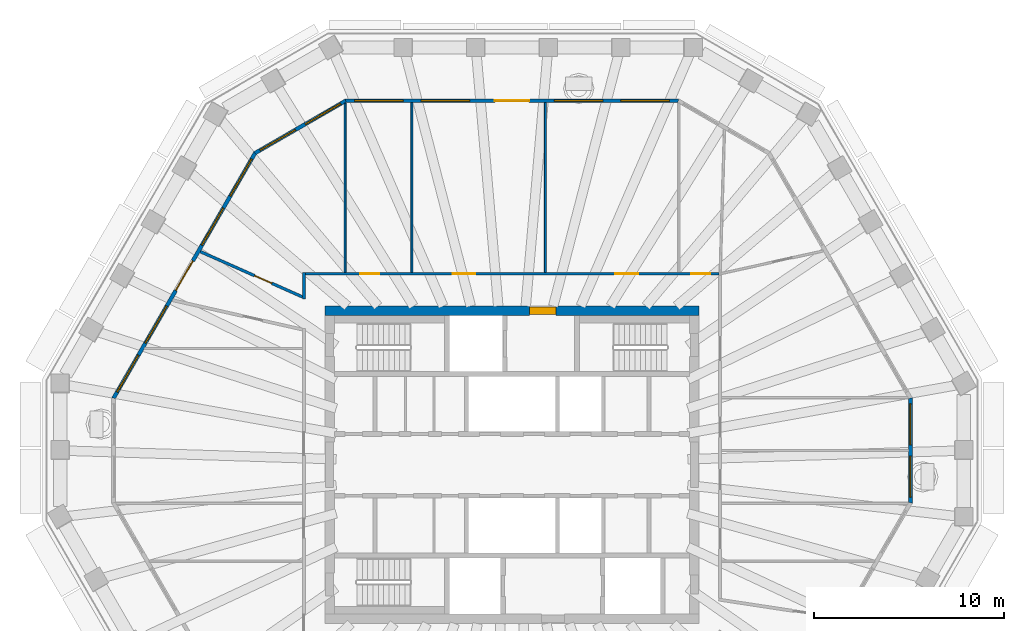
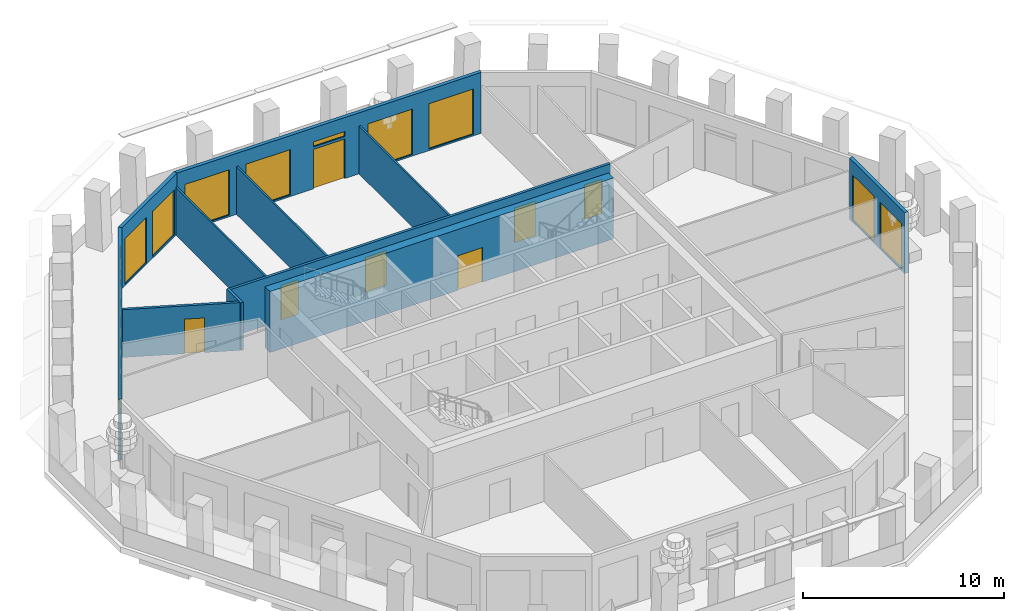
# One storey, part 6 of 11: 14 windows, 11 walls, 8 doors, 22 openings.
"""IFC4 building model written with IfcOpenShell, lengths in metres."""

from ifc_helpers import new_model, si_unit, direction, frame, frame_2d, origin, place, context, subcontext, project, spatial, polyline, rectangle, outline, extrude, material, layer, layer_set, type_object, element, fill, save


model = new_model("IFC4")

# Units and contexts
model_context = context("Model", 3, precision=1e-05, world=origin(), true_north=direction((0.0, 1.0)))
body_context = subcontext(model_context, "Body", "Model", "MODEL_VIEW")
ifc_project = project(units=[si_unit("LENGTHUNIT", "METRE"), si_unit("AREAUNIT", "SQUARE_METRE"), si_unit("VOLUMEUNIT", "CUBIC_METRE"), si_unit("PLANEANGLEUNIT", "RADIAN"), si_unit("MASSUNIT", "GRAM", prefix="KILO")], contexts=[model_context])

# Site, building, storey
site_placement = place(None, origin())
site = spatial("IfcSite", under=ifc_project, at=site_placement, CompositionType="ELEMENT")
building_placement = place(site_placement, origin())
building = spatial("IfcBuilding", under=site, at=building_placement, Name="Frailejon Research Tower", CompositionType="ELEMENT")
storey_placement = place(building_placement, frame((0.0, 0.0, 287.0)))
storey = spatial("IfcBuildingStorey", under=building, at=storey_placement, Name="L63", CompositionType="ELEMENT", Elevation=287.0)

# Wall, opening, door
ifc_material_1 = material(Name="Concrete C50/60", Category="concrete")
ifc_layer_1 = layer(ifc_material_1, 0.5)
ifc_layer_set_1 = layer_set([ifc_layer_1], Name="Core shear wall 500 C50/60")
wall_type_1 = type_object("IfcWallType", Name="Core shear wall 500 C50/60", PredefinedType="SHEAR", material=ifc_layer_set_1)
wall_1_placement = place(storey_placement, frame((-9.85009765625, 8.10009765625, 0.0), z_axis=(0.0, 0.0, 1.0), x_axis=(1.0, 0.0, 0.0)))
wall_1 = element("IfcWall", 1, at=wall_1_placement, inside=storey, type_object=wall_type_1, Name="Core shear wall", PredefinedType="SHEAR", context=body_context, shape_type="SweptSolid", body=[
    extrude(rectangle(XDim=19.7001953125, YDim=0.5, at=frame_2d((9.85009765625, 0.0))), origin(), (0.0, 0.0, 1.0), 3.699951171875),
])
opening_1_placement = place(wall_1_placement, frame((10.77490234375, 0.0, 0.0)))
opening_1 = element("IfcOpeningElement", 2, at=opening_1_placement, cuts=wall_1, Name="Opening D9", PredefinedType="OPENING", context=body_context, shape_type="SweptSolid", body=[
    extrude(rectangle(XDim=1.39990234375, YDim=2.10009765625, at=frame_2d((0.699951171875, 1.050048828125))), frame((0.0, 0.260009765625, 0.0), z_axis=(0.0, -1.0, 0.0), x_axis=(1.0, 0.0, 0.0)), (0.0, 0.0, 1.0), 0.52001953125),
])
ifc_material_2 = material(Name="Steel", Category="steel")
door_type_1 = type_object("IfcDoorType", Name="Goods lobby door", OperationType="DOUBLE_DOOR_SINGLE_SWING", PredefinedType="DOOR", material=ifc_material_2)
door_1_placement = place(opening_1_placement, origin())
door_1 = element("IfcDoor", 3, at=door_1_placement, inside=storey, type_object=door_type_1, Name="Goods lobby door", OperationType="DOUBLE_DOOR_SINGLE_SWING", OverallHeight=2.10009765625, OverallWidth=1.39990234375, PredefinedType="DOOR", context=body_context, shape_type="SweptSolid", body=[
    extrude(rectangle(XDim=1.39990234375, YDim=2.10009765625, at=frame_2d((0.699951171875, 1.050048828125))), frame((0.0, 0.199951171875, 0.0), z_axis=(0.0, -1.0, 0.0), x_axis=(1.0, 0.0, 0.0)), (0.0, 0.0, 1.0), 0.39990234375),
])
fill(opening_1, door_1)

ifc_material_3 = material(Name="Gypsum board and masonry partition", Category="masonry")
ifc_layer_2 = layer(ifc_material_3, 0.14990234375)
ifc_layer_set_2 = layer_set([ifc_layer_2], Name="Corridor wall EI 60, gypsum on steel studs 150")
wall_type_2 = type_object("IfcWallType", Name="Corridor wall EI 60, gypsum on steel studs 150", PredefinedType="PARTITIONING", material=ifc_layer_set_2)
wall_2_placement = place(storey_placement, frame((-16.393310546875, 11.21435546875, 0.0), z_axis=(0.0, 0.0, 1.0), x_axis=(0.914110944559, -0.405464155059, 0.0)))
wall_2 = element("IfcWall", 4, at=wall_2_placement, inside=storey, type_object=wall_type_2, Name="T:IW:L63:001", PredefinedType="PARTITIONING", context=body_context, shape_type="SweptSolid", body=[
    extrude(rectangle(XDim=5.8798828125, YDim=0.14990234375, at=frame_2d((2.93994140625, 0.0))), origin(), (0.0, 0.0, 1.0), 2.89990234375),
])
opening_2_placement = place(wall_2_placement, frame((3.115478515625, 0.0, 0.0)))
opening_2 = element("IfcOpeningElement", 5, at=opening_2_placement, cuts=wall_2, Name="Opening D2212", PredefinedType="OPENING", context=body_context, shape_type="SweptSolid", body=[
    extrude(rectangle(XDim=1.0, YDim=2.10009765625, at=frame_2d((0.5, 1.050048828125))), frame((0.0, 0.0849609375, 0.0), z_axis=(0.0, -1.0, 0.0), x_axis=(1.0, 0.0, 0.0)), (0.0, 0.0, 1.0), 0.169921875),
])
ifc_material_4 = material(Name="Timber door leaf", Category="wood")
door_type_2 = type_object("IfcDoorType", Name="Door single leaf, timber, steel frame 1000", OperationType="NOTDEFINED", PredefinedType="DOOR", material=ifc_material_4)
door_2_placement = place(opening_2_placement, origin())
door_2 = element("IfcDoor", 6, at=door_2_placement, inside=storey, type_object=door_type_2, Name="D2212", OperationType="SINGLE_SWING_LEFT", OverallHeight=2.10009765625, OverallWidth=1.0, PredefinedType="DOOR", context=body_context, shape_type="SweptSolid", body=[
    extrude(rectangle(XDim=1.0, YDim=2.10009765625, at=frame_2d((0.5, 1.050048828125))), frame((0.0, 0.02490234375, 0.0), z_axis=(0.0, -1.0, 0.0), x_axis=(1.0, 0.0, 0.0)), (0.0, 0.0, 1.0), 0.050048828125),
])
fill(opening_2, door_2)

# Wall, openings, doors
wall_3_placement = place(storey_placement, frame((-10.875, 10.050048828125, 0.0), z_axis=(0.0, 0.0, 1.0), x_axis=(1.0, 0.0, 0.0)))
wall_3 = element("IfcWall", 7, at=wall_3_placement, inside=storey, type_object=wall_type_2, Name="T:IW:L63:005", PredefinedType="PARTITIONING", context=body_context, shape_type="SweptSolid", body=[
    extrude(rectangle(XDim=21.77490234375, YDim=0.14990234375, at=frame_2d((10.887451171875, 0.0))), origin(), (0.0, 0.0, 1.0), 2.89990234375),
])
opening_3_placement = place(wall_3_placement, frame((20.309326171875, 0.0, 0.0)))
opening_3 = element("IfcOpeningElement", 8, at=opening_3_placement, cuts=wall_3, Name="Opening D2208", PredefinedType="OPENING", context=body_context, shape_type="SweptSolid", body=[
    extrude(rectangle(XDim=1.0, YDim=2.10009765625, at=frame_2d((0.5, 1.050048828125))), frame((0.0, 0.0849609375, 0.0), z_axis=(0.0, -1.0, 0.0), x_axis=(1.0, 0.0, 0.0)), (0.0, 0.0, 1.0), 0.169921875),
])
opening_4_placement = place(wall_3_placement, frame((16.30908203125, 0.0, 0.0)))
opening_4 = element("IfcOpeningElement", 9, at=opening_4_placement, cuts=wall_3, Name="Opening D2209", PredefinedType="OPENING", context=body_context, shape_type="SweptSolid", body=[
    extrude(rectangle(XDim=1.199951171875, YDim=2.10009765625, at=frame_2d((0.60009765625, 1.050048828125))), frame((0.0, 0.0849609375, 0.0), z_axis=(0.0, -1.0, 0.0), x_axis=(1.0, 0.0, 0.0)), (0.0, 0.0, 1.0), 0.169921875),
])
opening_5_placement = place(wall_3_placement, frame((7.75146484375, 0.0, 0.0)))
opening_5 = element("IfcOpeningElement", 10, at=opening_5_placement, cuts=wall_3, Name="Opening D2210", PredefinedType="OPENING", context=body_context, shape_type="SweptSolid", body=[
    extrude(rectangle(XDim=1.199951171875, YDim=2.10009765625, at=frame_2d((0.60009765625, 1.050048828125))), frame((0.0, 0.0849609375, 0.0), z_axis=(0.0, -1.0, 0.0), x_axis=(1.0, 0.0, 0.0)), (0.0, 0.0, 1.0), 0.169921875),
])
opening_6_placement = place(wall_3_placement, frame((2.901123046875, 0.0, 0.0)))
opening_6 = element("IfcOpeningElement", 11, at=opening_6_placement, cuts=wall_3, Name="Opening D2211", PredefinedType="OPENING", context=body_context, shape_type="SweptSolid", body=[
    extrude(rectangle(XDim=1.0, YDim=2.10009765625, at=frame_2d((0.5, 1.050048828125))), frame((0.0, 0.0849609375, 0.0), z_axis=(0.0, -1.0, 0.0), x_axis=(1.0, 0.0, 0.0)), (0.0, 0.0, 1.0), 0.169921875),
])
door_3_placement = place(opening_3_placement, origin())
door_3 = element("IfcDoor", 12, at=door_3_placement, inside=storey, type_object=door_type_2, Name="D2208", OperationType="SINGLE_SWING_RIGHT", OverallHeight=2.10009765625, OverallWidth=1.0, PredefinedType="DOOR", context=body_context, shape_type="SweptSolid", body=[
    extrude(rectangle(XDim=1.0, YDim=2.10009765625, at=frame_2d((0.5, 1.050048828125))), frame((0.0, 0.02490234375, 0.0), z_axis=(0.0, -1.0, 0.0), x_axis=(1.0, 0.0, 0.0)), (0.0, 0.0, 1.0), 0.050048828125),
])
fill(opening_3, door_3)
door_4_placement = place(opening_6_placement, origin())
door_4 = element("IfcDoor", 13, at=door_4_placement, inside=storey, type_object=door_type_2, Name="D2211", OperationType="SINGLE_SWING_RIGHT", OverallHeight=2.10009765625, OverallWidth=1.0, PredefinedType="DOOR", context=body_context, shape_type="SweptSolid", body=[
    extrude(rectangle(XDim=1.0, YDim=2.10009765625, at=frame_2d((0.5, 1.050048828125))), frame((0.0, 0.02490234375, 0.0), z_axis=(0.0, -1.0, 0.0), x_axis=(1.0, 0.0, 0.0)), (0.0, 0.0, 1.0), 0.050048828125),
])
fill(opening_6, door_4)
ifc_material_5 = material(Name="Timber door leaf", Category="wood")
door_type_3 = type_object("IfcDoorType", Name="Door single leaf, timber, steel frame 1200", OperationType="NOTDEFINED", PredefinedType="DOOR", material=ifc_material_5)
door_5_placement = place(opening_4_placement, origin())
door_5 = element("IfcDoor", 14, at=door_5_placement, inside=storey, type_object=door_type_3, Name="D2209", OperationType="DOUBLE_DOOR_SINGLE_SWING", OverallHeight=2.10009765625, OverallWidth=1.199951171875, PredefinedType="DOOR", context=body_context, shape_type="SweptSolid", body=[
    extrude(rectangle(XDim=1.199951171875, YDim=2.10009765625, at=frame_2d((0.60009765625, 1.050048828125))), frame((0.0, 0.02490234375, 0.0), z_axis=(0.0, -1.0, 0.0), x_axis=(1.0, 0.0, 0.0)), (0.0, 0.0, 1.0), 0.050048828125),
])
fill(opening_4, door_5)
door_6_placement = place(opening_5_placement, origin())
door_6 = element("IfcDoor", 15, at=door_6_placement, inside=storey, type_object=door_type_3, Name="D2210", OperationType="DOUBLE_DOOR_SINGLE_SWING", OverallHeight=2.10009765625, OverallWidth=1.199951171875, PredefinedType="DOOR", context=body_context, shape_type="SweptSolid", body=[
    extrude(rectangle(XDim=1.199951171875, YDim=2.10009765625, at=frame_2d((0.60009765625, 1.050048828125))), frame((0.0, 0.02490234375, 0.0), z_axis=(0.0, -1.0, 0.0), x_axis=(1.0, 0.0, 0.0)), (0.0, 0.0, 1.0), 0.050048828125),
])
fill(opening_5, door_6)

# Walls
wall_4_placement = place(storey_placement, frame((-10.949951171875, 8.72509765625, 0.0), z_axis=(0.0, 0.0, 1.0), x_axis=(0.0, 1.0, 0.0)))
element("IfcWall", 16, at=wall_4_placement, inside=storey, type_object=wall_type_2, Name="T:IW:L63:007", PredefinedType="PARTITIONING", context=body_context, shape_type="SweptSolid", body=[
    extrude(rectangle(XDim=1.39990234375, YDim=0.14990234375, at=frame_2d((0.699951171875, 0.0))), origin(), (0.0, 0.0, 1.0), 2.89990234375),
])
ifc_material_6 = material(Name="Gypsum board and masonry partition", Category="masonry")
ifc_layer_3 = layer(ifc_material_6, 0.10009765625)
ifc_layer_set_3 = layer_set([ifc_layer_3], Name="Partition, gypsum on steel studs 100")
wall_type_3 = type_object("IfcWallType", Name="Partition, gypsum on steel studs 100", PredefinedType="PARTITIONING", material=ifc_layer_set_3)
for number, where, z_axis, x_axis, name in (
    (17, (1.75537109375, 10.125, 0.0), (0.0, 0.0, 1.0), (0.0, 1.0, 0.0), "T:IW:L63:016"),
    (18, (-5.265869140625, 10.125, 0.0), (0.0, 0.0, 1.0), (0.0, 1.0, 0.0), "T:IW:L63:017"),
):
    element("IfcWall", number, at=place(storey_placement, frame(where, z_axis=z_axis, x_axis=x_axis)), inside=storey, type_object=wall_type_3, Name=name, PredefinedType="PARTITIONING", context=body_context, shape_type="SweptSolid", body=[
        extrude(rectangle(XDim=8.925048828125, YDim=0.10009765625, at=frame_2d((4.46240234375, 0.0))), origin(), (0.0, 0.0, 1.0), 2.89990234375),
    ])
wall_5_placement = place(storey_placement, frame((-8.776611328125, 10.125, 0.0), z_axis=(0.0, 0.0, 1.0), x_axis=(0.0, 1.0, 0.0)))
element("IfcWall", 19, at=wall_5_placement, inside=storey, type_object=wall_type_3, Name="T:IW:L63:018", PredefinedType="PARTITIONING", context=body_context, shape_type="SweptSolid", body=[
    extrude(rectangle(XDim=8.89404296875, YDim=0.10009765625, at=frame_2d((4.447021484375, 0.0))), origin(), (0.0, 0.0, 1.0), 2.89990234375),
])

# Wall, openings, windows
ifc_material_7 = material(Name="Concrete C40/50 precast window wall panel", Category="concrete")
ifc_layer_4 = layer(ifc_material_7, 0.199951171875)
ifc_layer_set_4 = layer_set([ifc_layer_4], Name="Window wall 200")
wall_type_4 = type_object("IfcWallType", Name="Window wall 200", PredefinedType="SOLIDWALL", material=ifc_layer_set_4)
wall_6_placement = place(storey_placement, frame((20.959228515625, -1.99755859375, 0.0), z_axis=(0.0, 0.0, 1.0), x_axis=(0.0, 1.0, 0.0)))
wall_6 = element("IfcWall", 20, at=wall_6_placement, inside=storey, type_object=wall_type_4, Name="Exterior wall L63", PredefinedType="SOLIDWALL", context=body_context, shape_type="SweptSolid", body=[
    extrude(outline(polyline([(-0.02685546875, -0.10009765625), (1.08447265625, -0.10009765625), (2.196044921875, -0.10009765625), (3.307373046875, -0.10009765625), (4.4189453125, -0.10009765625), (5.5302734375, -0.10009765625), (5.4765625, 0.10009765625), (4.38671875, 0.10009765625), (3.296630859375, 0.10009765625), (2.206787109375, 0.10009765625), (1.11669921875, 0.10009765625), (0.02685546875, 0.10009765625), (-0.02685546875, -0.10009765625)])), origin(), (0.0, 0.0, 1.0), 3.699951171875),
])
opening_7_placement = place(wall_6_placement, frame((0.30078125, 0.0, 0.10009765625)))
opening_7 = element("IfcOpeningElement", 21, at=opening_7_placement, cuts=wall_6, Name="Opening W22", PredefinedType="OPENING", context=body_context, shape_type="SweptSolid", body=[
    extrude(rectangle(XDim=2.14990234375, YDim=2.75, at=frame_2d((1.074951171875, 1.375))), frame((0.0, 0.10986328125, 0.0), z_axis=(0.0, -1.0, 0.0), x_axis=(1.0, 0.0, 0.0)), (0.0, 0.0, 1.0), 0.219970703125),
])
opening_8_placement = place(wall_6_placement, frame((3.052490234375, 0.0, 0.10009765625)))
opening_8 = element("IfcOpeningElement", 22, at=opening_8_placement, cuts=wall_6, Name="Opening W22", PredefinedType="OPENING", context=body_context, shape_type="SweptSolid", body=[
    extrude(rectangle(XDim=2.14990234375, YDim=2.75, at=frame_2d((1.074951171875, 1.375))), frame((0.0, 0.10986328125, 0.0), z_axis=(0.0, -1.0, 0.0), x_axis=(1.0, 0.0, 0.0)), (0.0, 0.0, 1.0), 0.219970703125),
])
ifc_material_8 = material(Name="Aluminium framed double glazing", Category="aluminium")
window_type_1 = type_object("IfcWindowType", Name="Window 2150x2750", PartitioningType="SINGLE_PANEL", PredefinedType="WINDOW", material=ifc_material_8)
window_1_placement = place(opening_7_placement, origin())
window_1 = element("IfcWindow", 23, at=window_1_placement, inside=storey, type_object=window_type_1, Name="Window L63", OverallHeight=2.75, OverallWidth=2.14990234375, PartitioningType="SINGLE_PANEL", PredefinedType="WINDOW", context=body_context, shape_type="SweptSolid", body=[
    extrude(rectangle(XDim=2.14990234375, YDim=2.75, at=frame_2d((1.074951171875, 1.375))), frame((0.0, 0.030029296875, 0.0), z_axis=(0.0, -1.0, 0.0), x_axis=(1.0, 0.0, 0.0)), (0.0, 0.0, 1.0), 0.06005859375),
])
fill(opening_7, window_1)
window_2_placement = place(opening_8_placement, origin())
window_2 = element("IfcWindow", 24, at=window_2_placement, inside=storey, type_object=window_type_1, Name="Window L63", OverallHeight=2.75, OverallWidth=2.14990234375, PartitioningType="SINGLE_PANEL", PredefinedType="WINDOW", context=body_context, shape_type="SweptSolid", body=[
    extrude(rectangle(XDim=2.14990234375, YDim=2.75, at=frame_2d((1.074951171875, 1.375))), frame((0.0, 0.030029296875, 0.0), z_axis=(0.0, -1.0, 0.0), x_axis=(1.0, 0.0, 0.0)), (0.0, 0.0, 1.0), 0.06005859375),
])
fill(opening_8, window_2)

# Wall, openings, door, windows
wall_7_placement = place(storey_placement, frame((8.749755859375, 19.14990234375, 0.0), z_axis=(0.0, 0.0, 1.0), x_axis=(-1.0, 0.0, 0.0)))
wall_7 = element("IfcWall", 25, at=wall_7_placement, inside=storey, type_object=wall_type_4, Name="Exterior wall L63", PredefinedType="SOLIDWALL", context=body_context, shape_type="SweptSolid", body=[
    extrude(outline(polyline([(-0.02685546875, -0.10009765625), (1.005615234375, -0.10009765625), (2.038330078125, -0.10009765625), (3.07080078125, -0.10009765625), (4.103271484375, -0.10009765625), (5.1357421875, -0.10009765625), (6.16845703125, -0.10009765625), (7.200927734375, -0.10009765625), (8.2333984375, -0.10009765625), (9.26611328125, -0.10009765625), (10.298583984375, -0.10009765625), (11.3310546875, -0.10009765625), (12.36376953125, -0.10009765625), (13.396240234375, -0.10009765625), (14.4287109375, -0.10009765625), (15.461181640625, -0.10009765625), (16.493896484375, -0.10009765625), (17.5263671875, -0.10009765625), (17.47265625, 0.10009765625), (16.446533203125, 0.10009765625), (15.420166015625, 0.10009765625), (14.39404296875, 0.10009765625), (13.36767578125, 0.10009765625), (12.341552734375, 0.10009765625), (11.3154296875, 0.10009765625), (10.2890625, 0.10009765625), (9.262939453125, 0.10009765625), (8.236572265625, 0.10009765625), (7.21044921875, 0.10009765625), (6.18408203125, 0.10009765625), (5.157958984375, 0.10009765625), (4.1318359375, 0.10009765625), (3.10546875, 0.10009765625), (2.079345703125, 0.10009765625), (1.052978515625, 0.10009765625), (0.02685546875, 0.10009765625), (-0.02685546875, -0.10009765625)])), origin(), (0.0, 0.0, 1.0), 3.699951171875),
])
opening_9_placement = place(wall_7_placement, frame((0.47509765625, 0.0, 0.10009765625)))
opening_9 = element("IfcOpeningElement", 26, at=opening_9_placement, cuts=wall_7, Name="Opening W25", PredefinedType="OPENING", context=body_context, shape_type="SweptSolid", body=[
    extrude(rectangle(XDim=2.550048828125, YDim=2.75, at=frame_2d((1.27490234375, 1.375))), frame((0.0, 0.10986328125, 0.0), z_axis=(0.0, -1.0, 0.0), x_axis=(1.0, 0.0, 0.0)), (0.0, 0.0, 1.0), 0.219970703125),
])
opening_10_placement = place(wall_7_placement, frame((3.974853515625, 0.0, 0.10009765625)))
opening_10 = element("IfcOpeningElement", 27, at=opening_10_placement, cuts=wall_7, Name="Opening W25", PredefinedType="OPENING", context=body_context, shape_type="SweptSolid", body=[
    extrude(rectangle(XDim=2.550048828125, YDim=2.75, at=frame_2d((1.27490234375, 1.375))), frame((0.0, 0.10986328125, 0.0), z_axis=(0.0, -1.0, 0.0), x_axis=(1.0, 0.0, 0.0)), (0.0, 0.0, 1.0), 0.219970703125),
])
opening_11_placement = place(wall_7_placement, frame((7.849853515625, 0.0, 0.0)))
opening_11 = element("IfcOpeningElement", 28, at=opening_11_placement, cuts=wall_7, Name="Opening LG63-2", PredefinedType="OPENING", context=body_context, shape_type="SweptSolid", body=[
    extrude(rectangle(XDim=1.800048828125, YDim=2.39990234375, at=frame_2d((0.89990234375, 1.199951171875))), frame((0.0, 0.10986328125, 0.0), z_axis=(0.0, -1.0, 0.0), x_axis=(1.0, 0.0, 0.0)), (0.0, 0.0, 1.0), 0.219970703125),
])
opening_12_placement = place(wall_7_placement, frame((7.849853515625, 0.0, 2.550048828125)))
opening_12 = element("IfcOpeningElement", 29, at=opening_12_placement, cuts=wall_7, Name="Opening W24", PredefinedType="OPENING", context=body_context, shape_type="SweptSolid", body=[
    extrude(rectangle(XDim=1.800048828125, YDim=0.300048828125, at=frame_2d((0.89990234375, 0.14990234375))), frame((0.0, 0.10986328125, 0.0), z_axis=(0.0, -1.0, 0.0), x_axis=(1.0, 0.0, 0.0)), (0.0, 0.0, 1.0), 0.219970703125),
])
opening_13_placement = place(wall_7_placement, frame((10.974609375, 0.0, 0.10009765625)))
opening_13 = element("IfcOpeningElement", 30, at=opening_13_placement, cuts=wall_7, Name="Opening W25", PredefinedType="OPENING", context=body_context, shape_type="SweptSolid", body=[
    extrude(rectangle(XDim=2.550048828125, YDim=2.75, at=frame_2d((1.27490234375, 1.375))), frame((0.0, 0.10986328125, 0.0), z_axis=(0.0, -1.0, 0.0), x_axis=(1.0, 0.0, 0.0)), (0.0, 0.0, 1.0), 0.219970703125),
])
opening_14_placement = place(wall_7_placement, frame((14.474609375, 0.0, 0.10009765625)))
opening_14 = element("IfcOpeningElement", 31, at=opening_14_placement, cuts=wall_7, Name="Opening W25", PredefinedType="OPENING", context=body_context, shape_type="SweptSolid", body=[
    extrude(rectangle(XDim=2.550048828125, YDim=2.75, at=frame_2d((1.27490234375, 1.375))), frame((0.0, 0.10986328125, 0.0), z_axis=(0.0, -1.0, 0.0), x_axis=(1.0, 0.0, 0.0)), (0.0, 0.0, 1.0), 0.219970703125),
])
ifc_material_9 = material(Name="Aluminium framed glazed door leaf", Category="aluminium")
door_type_4 = type_object("IfcDoorType", Name="Loggia door 1800x2400", OperationType="DOUBLE_DOOR_SINGLE_SWING", PredefinedType="DOOR", material=ifc_material_9)
door_7_placement = place(opening_11_placement, origin())
door_7 = element("IfcDoor", 32, at=door_7_placement, inside=storey, type_object=door_type_4, Name="Door LG63-2", OperationType="DOUBLE_DOOR_SINGLE_SWING", OverallHeight=2.39990234375, OverallWidth=1.800048828125, PredefinedType="DOOR", context=body_context, shape_type="SweptSolid", body=[
    extrude(rectangle(XDim=1.800048828125, YDim=2.39990234375, at=frame_2d((0.89990234375, 1.199951171875))), frame((0.0, 0.02490234375, 0.0), z_axis=(0.0, -1.0, 0.0), x_axis=(1.0, 0.0, 0.0)), (0.0, 0.0, 1.0), 0.050048828125),
])
fill(opening_11, door_7)
ifc_material_10 = material(Name="Aluminium framed double glazing", Category="aluminium")
window_type_2 = type_object("IfcWindowType", Name="Window 1800x300", PartitioningType="SINGLE_PANEL", PredefinedType="WINDOW", material=ifc_material_10)
window_3_placement = place(opening_12_placement, origin())
window_3 = element("IfcWindow", 33, at=window_3_placement, inside=storey, type_object=window_type_2, Name="Window L63", OverallHeight=0.300048828125, OverallWidth=1.800048828125, PartitioningType="SINGLE_PANEL", PredefinedType="WINDOW", context=body_context, shape_type="SweptSolid", body=[
    extrude(rectangle(XDim=1.800048828125, YDim=0.300048828125, at=frame_2d((0.89990234375, 0.14990234375))), frame((0.0, 0.030029296875, 0.0), z_axis=(0.0, -1.0, 0.0), x_axis=(1.0, 0.0, 0.0)), (0.0, 0.0, 1.0), 0.06005859375),
])
fill(opening_12, window_3)
ifc_material_11 = material(Name="Aluminium framed double glazing", Category="aluminium")
window_type_3 = type_object("IfcWindowType", Name="Window 2550x2750", PartitioningType="SINGLE_PANEL", PredefinedType="WINDOW", material=ifc_material_11)
window_4_placement = place(opening_9_placement, origin())
window_4 = element("IfcWindow", 34, at=window_4_placement, inside=storey, type_object=window_type_3, Name="Window L63", OverallHeight=2.75, OverallWidth=2.550048828125, PartitioningType="SINGLE_PANEL", PredefinedType="WINDOW", context=body_context, shape_type="SweptSolid", body=[
    extrude(rectangle(XDim=2.550048828125, YDim=2.75, at=frame_2d((1.27490234375, 1.375))), frame((0.0, 0.030029296875, 0.0), z_axis=(0.0, -1.0, 0.0), x_axis=(1.0, 0.0, 0.0)), (0.0, 0.0, 1.0), 0.06005859375),
])
fill(opening_9, window_4)
window_5_placement = place(opening_10_placement, origin())
window_5 = element("IfcWindow", 35, at=window_5_placement, inside=storey, type_object=window_type_3, Name="Window L63", OverallHeight=2.75, OverallWidth=2.550048828125, PartitioningType="SINGLE_PANEL", PredefinedType="WINDOW", context=body_context, shape_type="SweptSolid", body=[
    extrude(rectangle(XDim=2.550048828125, YDim=2.75, at=frame_2d((1.27490234375, 1.375))), frame((0.0, 0.030029296875, 0.0), z_axis=(0.0, -1.0, 0.0), x_axis=(1.0, 0.0, 0.0)), (0.0, 0.0, 1.0), 0.06005859375),
])
fill(opening_10, window_5)
window_6_placement = place(opening_13_placement, origin())
window_6 = element("IfcWindow", 36, at=window_6_placement, inside=storey, type_object=window_type_3, Name="Window L63", OverallHeight=2.75, OverallWidth=2.550048828125, PartitioningType="SINGLE_PANEL", PredefinedType="WINDOW", context=body_context, shape_type="SweptSolid", body=[
    extrude(rectangle(XDim=2.550048828125, YDim=2.75, at=frame_2d((1.27490234375, 1.375))), frame((0.0, 0.030029296875, 0.0), z_axis=(0.0, -1.0, 0.0), x_axis=(1.0, 0.0, 0.0)), (0.0, 0.0, 1.0), 0.06005859375),
])
fill(opening_13, window_6)
window_7_placement = place(opening_14_placement, origin())
window_7 = element("IfcWindow", 37, at=window_7_placement, inside=storey, type_object=window_type_3, Name="Window L63", OverallHeight=2.75, OverallWidth=2.550048828125, PartitioningType="SINGLE_PANEL", PredefinedType="WINDOW", context=body_context, shape_type="SweptSolid", body=[
    extrude(rectangle(XDim=2.550048828125, YDim=2.75, at=frame_2d((1.27490234375, 1.375))), frame((0.0, 0.030029296875, 0.0), z_axis=(0.0, -1.0, 0.0), x_axis=(1.0, 0.0, 0.0)), (0.0, 0.0, 1.0), 0.06005859375),
])
fill(opening_14, window_7)

# Wall, openings, windows
wall_8_placement = place(storey_placement, frame((-8.749755859375, 19.14990234375, 0.0), z_axis=(0.0, 0.0, 1.0), x_axis=(-0.866026017613, -0.499998936816, 0.0)))
wall_8 = element("IfcWall", 38, at=wall_8_placement, inside=storey, type_object=wall_type_4, Name="Exterior wall L63", PredefinedType="SOLIDWALL", context=body_context, shape_type="SweptSolid", body=[
    extrude(outline(polyline([(-0.02685546875, -0.10009765625), (1.08447265625, -0.10009765625), (2.196044921875, -0.10009765625), (3.307373046875, -0.10009765625), (4.4189453125, -0.10009765625), (5.5302734375, -0.10009765625), (5.4765625, 0.10009765625), (4.38671875, 0.10009765625), (3.296630859375, 0.10009765625), (2.206787109375, 0.10009765625), (1.11669921875, 0.10009765625), (0.02685546875, 0.10009765625), (-0.02685546875, -0.10009765625)])), origin(), (0.0, 0.0, 1.0), 3.699951171875),
])
opening_15_placement = place(wall_8_placement, frame((0.30078125, 0.0, 0.10009765625)))
opening_15 = element("IfcOpeningElement", 39, at=opening_15_placement, cuts=wall_8, Name="Opening W22", PredefinedType="OPENING", context=body_context, shape_type="SweptSolid", body=[
    extrude(rectangle(XDim=2.14990234375, YDim=2.75, at=frame_2d((1.074951171875, 1.375))), frame((0.0, 0.10986328125, 0.0), z_axis=(0.0, -1.0, 0.0), x_axis=(1.0, 0.0, 0.0)), (0.0, 0.0, 1.0), 0.219970703125),
])
opening_16_placement = place(wall_8_placement, frame((3.052490234375, 0.0, 0.10009765625)))
opening_16 = element("IfcOpeningElement", 40, at=opening_16_placement, cuts=wall_8, Name="Opening W22", PredefinedType="OPENING", context=body_context, shape_type="SweptSolid", body=[
    extrude(rectangle(XDim=2.14990234375, YDim=2.75, at=frame_2d((1.074951171875, 1.375))), frame((0.0, 0.10986328125, 0.0), z_axis=(0.0, -1.0, 0.0), x_axis=(1.0, 0.0, 0.0)), (0.0, 0.0, 1.0), 0.219970703125),
])
window_8_placement = place(opening_15_placement, origin())
window_8 = element("IfcWindow", 41, at=window_8_placement, inside=storey, type_object=window_type_1, Name="Window L63", OverallHeight=2.75, OverallWidth=2.14990234375, PartitioningType="SINGLE_PANEL", PredefinedType="WINDOW", context=body_context, shape_type="SweptSolid", body=[
    extrude(rectangle(XDim=2.14990234375, YDim=2.75, at=frame_2d((1.074951171875, 1.375))), frame((0.0, 0.030029296875, 0.0), z_axis=(0.0, -1.0, 0.0), x_axis=(1.0, 0.0, 0.0)), (0.0, 0.0, 1.0), 0.06005859375),
])
fill(opening_15, window_8)
window_9_placement = place(opening_16_placement, origin())
window_9 = element("IfcWindow", 42, at=window_9_placement, inside=storey, type_object=window_type_1, Name="Window L63", OverallHeight=2.75, OverallWidth=2.14990234375, PartitioningType="SINGLE_PANEL", PredefinedType="WINDOW", context=body_context, shape_type="SweptSolid", body=[
    extrude(rectangle(XDim=2.14990234375, YDim=2.75, at=frame_2d((1.074951171875, 1.375))), frame((0.0, 0.030029296875, 0.0), z_axis=(0.0, -1.0, 0.0), x_axis=(1.0, 0.0, 0.0)), (0.0, 0.0, 1.0), 0.06005859375),
])
fill(opening_16, window_9)

# Wall, openings, door, windows
wall_9_placement = place(storey_placement, frame((-13.515869140625, 16.398193359375, 0.0), z_axis=(0.0, 0.0, 1.0), x_axis=(-0.499998331335, -0.866026367187, 0.0)))
wall_9 = element("IfcWall", 43, at=wall_9_placement, inside=storey, type_object=wall_type_4, Name="Exterior wall L63", PredefinedType="SOLIDWALL", context=body_context, shape_type="SweptSolid", body=[
    extrude(outline(polyline([(-0.02685546875, -0.10009765625), (1.040283203125, -0.10009765625), (2.107421875, -0.10009765625), (3.174560546875, -0.10009765625), (4.241943359375, -0.10009765625), (5.30908203125, -0.10009765625), (6.376220703125, -0.10009765625), (7.443359375, -0.10009765625), (8.510498046875, -0.10009765625), (9.57763671875, -0.10009765625), (10.644775390625, -0.10009765625), (11.712158203125, -0.10009765625), (12.779296875, -0.10009765625), (13.846435546875, -0.10009765625), (14.91357421875, -0.10009765625), (14.85986328125, 0.10009765625), (13.80029296875, 0.10009765625), (12.740966796875, 0.10009765625), (11.681396484375, 0.10009765625), (10.621826171875, 0.10009765625), (9.562255859375, 0.10009765625), (8.5029296875, 0.10009765625), (7.443359375, 0.10009765625), (6.3837890625, 0.10009765625), (5.324462890625, 0.10009765625), (4.264892578125, 0.10009765625), (3.205322265625, 0.10009765625), (2.145751953125, 0.10009765625), (1.08642578125, 0.10009765625), (0.02685546875, 0.10009765625), (-0.02685546875, -0.10009765625)])), origin(), (0.0, 0.0, 1.0), 3.699951171875),
])
opening_17_placement = place(wall_9_placement, frame((0.36376953125, 0.0, 0.10009765625)))
opening_17 = element("IfcOpeningElement", 44, at=opening_17_placement, cuts=wall_9, Name="Opening W23", PredefinedType="OPENING", context=body_context, shape_type="SweptSolid", body=[
    extrude(rectangle(XDim=2.25, YDim=2.75, at=frame_2d((1.125, 1.375))), frame((0.0, 0.10986328125, 0.0), z_axis=(0.0, -1.0, 0.0), x_axis=(1.0, 0.0, 0.0)), (0.0, 0.0, 1.0), 0.219970703125),
])
opening_18_placement = place(wall_9_placement, frame((3.341064453125, 0.0, 0.10009765625)))
opening_18 = element("IfcOpeningElement", 45, at=opening_18_placement, cuts=wall_9, Name="Opening W23", PredefinedType="OPENING", context=body_context, shape_type="SweptSolid", body=[
    extrude(rectangle(XDim=2.25, YDim=2.75, at=frame_2d((1.125, 1.375))), frame((0.0, 0.10986328125, 0.0), z_axis=(0.0, -1.0, 0.0), x_axis=(1.0, 0.0, 0.0)), (0.0, 0.0, 1.0), 0.219970703125),
])
opening_19_placement = place(wall_9_placement, frame((6.54345703125, 0.0, 0.0)))
opening_19 = element("IfcOpeningElement", 46, at=opening_19_placement, cuts=wall_9, Name="Opening LG63-3", PredefinedType="OPENING", context=body_context, shape_type="SweptSolid", body=[
    extrude(rectangle(XDim=1.800048828125, YDim=2.39990234375, at=frame_2d((0.89990234375, 1.199951171875))), frame((0.0, 0.10986328125, 0.0), z_axis=(0.0, -1.0, 0.0), x_axis=(1.0, 0.0, 0.0)), (0.0, 0.0, 1.0), 0.219970703125),
])
opening_20_placement = place(wall_9_placement, frame((6.54345703125, 0.0, 2.550048828125)))
opening_20 = element("IfcOpeningElement", 47, at=opening_20_placement, cuts=wall_9, Name="Opening W24", PredefinedType="OPENING", context=body_context, shape_type="SweptSolid", body=[
    extrude(rectangle(XDim=1.800048828125, YDim=0.300048828125, at=frame_2d((0.89990234375, 0.14990234375))), frame((0.0, 0.10986328125, 0.0), z_axis=(0.0, -1.0, 0.0), x_axis=(1.0, 0.0, 0.0)), (0.0, 0.0, 1.0), 0.219970703125),
])
opening_21_placement = place(wall_9_placement, frame((9.2958984375, 0.0, 0.10009765625)))
opening_21 = element("IfcOpeningElement", 48, at=opening_21_placement, cuts=wall_9, Name="Opening W23", PredefinedType="OPENING", context=body_context, shape_type="SweptSolid", body=[
    extrude(rectangle(XDim=2.25, YDim=2.75, at=frame_2d((1.125, 1.375))), frame((0.0, 0.10986328125, 0.0), z_axis=(0.0, -1.0, 0.0), x_axis=(1.0, 0.0, 0.0)), (0.0, 0.0, 1.0), 0.219970703125),
])
opening_22_placement = place(wall_9_placement, frame((12.273193359375, 0.0, 0.10009765625)))
opening_22 = element("IfcOpeningElement", 49, at=opening_22_placement, cuts=wall_9, Name="Opening W23", PredefinedType="OPENING", context=body_context, shape_type="SweptSolid", body=[
    extrude(rectangle(XDim=2.25, YDim=2.75, at=frame_2d((1.125, 1.375))), frame((0.0, 0.10986328125, 0.0), z_axis=(0.0, -1.0, 0.0), x_axis=(1.0, 0.0, 0.0)), (0.0, 0.0, 1.0), 0.219970703125),
])
door_8_placement = place(opening_19_placement, origin())
door_8 = element("IfcDoor", 50, at=door_8_placement, inside=storey, type_object=door_type_4, Name="Door LG63-3", OperationType="DOUBLE_DOOR_SINGLE_SWING", OverallHeight=2.39990234375, OverallWidth=1.800048828125, PredefinedType="DOOR", context=body_context, shape_type="SweptSolid", body=[
    extrude(rectangle(XDim=1.800048828125, YDim=2.39990234375, at=frame_2d((0.89990234375, 1.199951171875))), frame((0.0, 0.02490234375, 0.0), z_axis=(0.0, -1.0, 0.0), x_axis=(1.0, 0.0, 0.0)), (0.0, 0.0, 1.0), 0.050048828125),
])
fill(opening_19, door_8)
window_10_placement = place(opening_20_placement, origin())
window_10 = element("IfcWindow", 51, at=window_10_placement, inside=storey, type_object=window_type_2, Name="Window L63", OverallHeight=0.300048828125, OverallWidth=1.800048828125, PartitioningType="SINGLE_PANEL", PredefinedType="WINDOW", context=body_context, shape_type="SweptSolid", body=[
    extrude(rectangle(XDim=1.800048828125, YDim=0.300048828125, at=frame_2d((0.89990234375, 0.14990234375))), frame((0.0, 0.030029296875, 0.0), z_axis=(0.0, -1.0, 0.0), x_axis=(1.0, 0.0, 0.0)), (0.0, 0.0, 1.0), 0.06005859375),
])
fill(opening_20, window_10)
ifc_material_12 = material(Name="Aluminium framed double glazing", Category="aluminium")
window_type_4 = type_object("IfcWindowType", Name="Window 2250x2750", PartitioningType="SINGLE_PANEL", PredefinedType="WINDOW", material=ifc_material_12)
window_11_placement = place(opening_17_placement, origin())
window_11 = element("IfcWindow", 52, at=window_11_placement, inside=storey, type_object=window_type_4, Name="Window L63", OverallHeight=2.75, OverallWidth=2.25, PartitioningType="SINGLE_PANEL", PredefinedType="WINDOW", context=body_context, shape_type="SweptSolid", body=[
    extrude(rectangle(XDim=2.25, YDim=2.75, at=frame_2d((1.125, 1.375))), frame((0.0, 0.030029296875, 0.0), z_axis=(0.0, -1.0, 0.0), x_axis=(1.0, 0.0, 0.0)), (0.0, 0.0, 1.0), 0.06005859375),
])
fill(opening_17, window_11)
window_12_placement = place(opening_18_placement, origin())
window_12 = element("IfcWindow", 53, at=window_12_placement, inside=storey, type_object=window_type_4, Name="Window L63", OverallHeight=2.75, OverallWidth=2.25, PartitioningType="SINGLE_PANEL", PredefinedType="WINDOW", context=body_context, shape_type="SweptSolid", body=[
    extrude(rectangle(XDim=2.25, YDim=2.75, at=frame_2d((1.125, 1.375))), frame((0.0, 0.030029296875, 0.0), z_axis=(0.0, -1.0, 0.0), x_axis=(1.0, 0.0, 0.0)), (0.0, 0.0, 1.0), 0.06005859375),
])
fill(opening_18, window_12)
window_13_placement = place(opening_21_placement, origin())
window_13 = element("IfcWindow", 54, at=window_13_placement, inside=storey, type_object=window_type_4, Name="Window L63", OverallHeight=2.75, OverallWidth=2.25, PartitioningType="SINGLE_PANEL", PredefinedType="WINDOW", context=body_context, shape_type="SweptSolid", body=[
    extrude(rectangle(XDim=2.25, YDim=2.75, at=frame_2d((1.125, 1.375))), frame((0.0, 0.030029296875, 0.0), z_axis=(0.0, -1.0, 0.0), x_axis=(1.0, 0.0, 0.0)), (0.0, 0.0, 1.0), 0.06005859375),
])
fill(opening_21, window_13)
window_14_placement = place(opening_22_placement, origin())
window_14 = element("IfcWindow", 55, at=window_14_placement, inside=storey, type_object=window_type_4, Name="Window L63", OverallHeight=2.75, OverallWidth=2.25, PartitioningType="SINGLE_PANEL", PredefinedType="WINDOW", context=body_context, shape_type="SweptSolid", body=[
    extrude(rectangle(XDim=2.25, YDim=2.75, at=frame_2d((1.125, 1.375))), frame((0.0, 0.030029296875, 0.0), z_axis=(0.0, -1.0, 0.0), x_axis=(1.0, 0.0, 0.0)), (0.0, 0.0, 1.0), 0.06005859375),
])
fill(opening_22, window_14)

save(model, "model.ifc")
